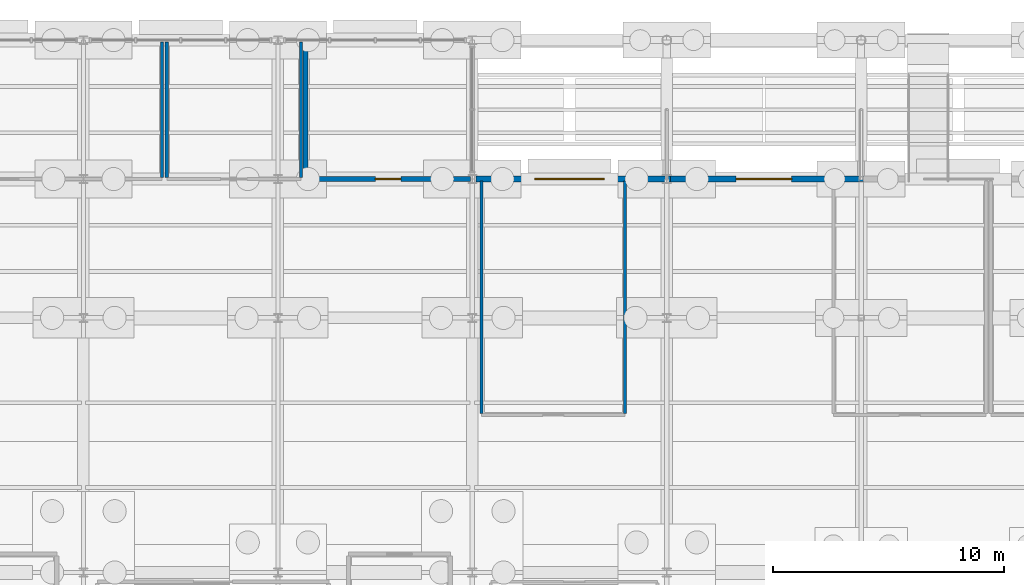
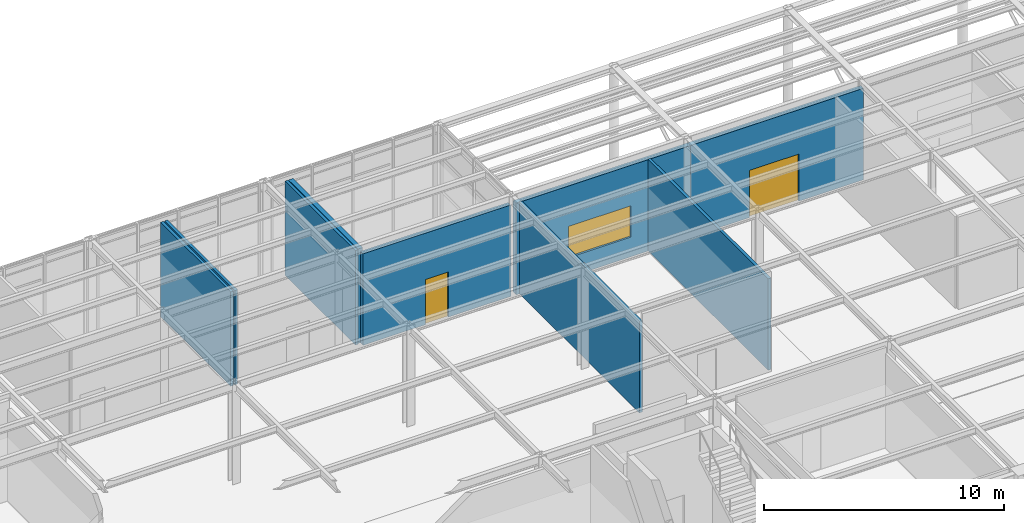
# One storey, part 107 of 129: 9 walls, 2 doors, 1 window, 3 openings.
"""IFC4 building model written with IfcOpenShell, lengths in metres."""

from ifc_helpers import new_model, si_unit, direction, frame, frame_2d, origin, place, context, subcontext, project, spatial, rectangle, extrude, material, layer, layer_set, type_object, element, fill, save


model = new_model("IFC4")

# Units and contexts
model_context = context("Model", 3, precision=1e-05, world=origin(), true_north=direction((0.0, 1.0)))
body_context = subcontext(model_context, "Body", "Model", "MODEL_VIEW")
ifc_project = project(units=[si_unit("LENGTHUNIT", "METRE"), si_unit("AREAUNIT", "SQUARE_METRE"), si_unit("VOLUMEUNIT", "CUBIC_METRE"), si_unit("PLANEANGLEUNIT", "RADIAN"), si_unit("MASSUNIT", "GRAM", prefix="KILO")], contexts=[model_context])

# Site, building, storey
site_placement = place(None, origin())
site = spatial("IfcSite", under=ifc_project, at=site_placement, CompositionType="ELEMENT")
building_placement = place(site_placement, origin())
building = spatial("IfcBuilding", under=site, at=building_placement, Name="Sitalva Quay Ferry Terminal", CompositionType="ELEMENT")
storey_placement = place(building_placement, origin())
storey = spatial("IfcBuildingStorey", under=building, at=storey_placement, Name="L01", CompositionType="ELEMENT", Elevation=0.0)

# Wall, opening, window
ifc_material_1 = material(Name="Insulated Precast Concrete C40/50", Category="concrete")
ifc_layer_1 = layer(ifc_material_1, 0.239990234375)
ifc_layer_set_1 = layer_set([ifc_layer_1], Name="Insulated Precast Concrete C40/50")
wall_type_1 = type_object("IfcWallType", Name="Wall_ExtClad_240", PredefinedType="ELEMENTEDWALL", material=ifc_layer_set_1)
wall_1_placement = place(storey_placement, frame((117.76953125, 106.0, 0.0), z_axis=(0.0, 0.0, 1.0), x_axis=(1.0, 0.0, 0.0)))
wall_1 = element("IfcWall", 1, at=wall_1_placement, inside=storey, type_object=wall_type_1, Name="L01 north-east landside facade EW-L01-146", PredefinedType="ELEMENTEDWALL", context=body_context, shape_type="SweptSolid", body=[
    extrude(rectangle(XDim=8.411865234375, YDim=0.239990234375, at=frame_2d((4.2060546875, 0.0))), origin(), (0.0, 0.0, 1.0), 4.657958984375),
])
opening_1_placement = place(wall_1_placement, frame((2.530517578125, 0.0, 1.0)))
opening_1 = element("IfcOpeningElement", 2, at=opening_1_placement, cuts=wall_1, Name="Opening WN-L01-019", PredefinedType="OPENING", context=body_context, shape_type="SweptSolid", body=[
    extrude(rectangle(XDim=3.0, YDim=1.60009765625, at=frame_2d((1.5, 0.800048828125))), frame((0.0, 0.1298828125, 0.0), z_axis=(0.0, -1.0, 0.0), x_axis=(1.0, 0.0, 0.0)), (0.0, 0.0, 1.0), 0.260009765625),
])
ifc_material_2 = material(Name="Anodised Aluminium & Low-E Glass", Category="aluminium")
window_type = type_object("IfcWindowType", Name="Win_Ribbon_3000x1600", PartitioningType="SINGLE_PANEL", PredefinedType="WINDOW", material=ifc_material_2)
window_placement = place(opening_1_placement, origin())
window = element("IfcWindow", 3, at=window_placement, inside=storey, type_object=window_type, Name="Landside north-east ribbon window WN-L01-019", OverallHeight=1.60009765625, OverallWidth=3.0, PartitioningType="SINGLE_PANEL", PredefinedType="WINDOW", context=body_context, shape_type="SweptSolid", body=[
    extrude(rectangle(XDim=3.0, YDim=1.60009765625, at=frame_2d((1.5, 0.800048828125))), frame((0.0, 0.030029296875, 0.0), z_axis=(0.0, -1.0, 0.0), x_axis=(1.0, 0.0, 0.0)), (0.0, 0.0, 1.0), 0.06005859375),
])
fill(opening_1, window)

# Wall, opening, door
wall_2_placement = place(storey_placement, frame((126.16943359375, 106.0, 0.0), z_axis=(0.0, 0.0, 1.0), x_axis=(1.0, 0.0, 0.0)))
wall_2 = element("IfcWall", 4, at=wall_2_placement, inside=storey, type_object=wall_type_1, Name="L01 north-east landside facade EW-L01-147", PredefinedType="ELEMENTEDWALL", context=body_context, shape_type="SweptSolid", body=[
    extrude(rectangle(XDim=8.32763671875, YDim=0.239990234375, at=frame_2d((4.163818359375, 0.0))), origin(), (0.0, 0.0, 1.0), 4.657958984375),
])
opening_2_placement = place(wall_2_placement, frame((2.83056640625, 0.0, 0.0)))
opening_2 = element("IfcOpeningElement", 5, at=opening_2_placement, cuts=wall_2, Name="Opening ED-L01-028", PredefinedType="OPENING", context=body_context, shape_type="SweptSolid", body=[
    extrude(rectangle(XDim=2.39990234375, YDim=2.39990234375, at=frame_2d((1.199951171875, 1.199951171875))), frame((0.0, 0.1298828125, 0.0), z_axis=(0.0, -1.0, 0.0), x_axis=(1.0, 0.0, 0.0)), (0.0, 0.0, 1.0), 0.260009765625),
])
ifc_material_3 = material(Name="Anodised Aluminium & Toughened Glass", Category="aluminium")
door_type_1 = type_object("IfcDoorType", Name="Door_Entrance_2400x2400", OperationType="DOUBLE_DOOR_SINGLE_SWING", PredefinedType="DOOR", material=ifc_material_3)
door_1_placement = place(opening_2_placement, origin())
door_1 = element("IfcDoor", 6, at=door_1_placement, inside=storey, type_object=door_type_1, Name="EDOOR-ED-L01-028 East landside canopy arrival entrance ED-L01-028", OperationType="DOUBLE_DOOR_SINGLE_SWING", OverallHeight=2.39990234375, OverallWidth=2.39990234375, PredefinedType="DOOR", context=body_context, shape_type="SweptSolid", body=[
    extrude(rectangle(XDim=2.39990234375, YDim=2.39990234375, at=frame_2d((1.199951171875, 1.199951171875))), frame((0.0, 0.02490234375, 0.0), z_axis=(0.0, -1.0, 0.0), x_axis=(1.0, 0.0, 0.0)), (0.0, 0.0, 1.0), 0.050048828125),
])
fill(opening_2, door_1)

# Walls
ifc_material_4 = material(Name="Acoustic Double-Board Gypsum Partition", Category="gypsum")
ifc_layer_2 = layer(ifc_material_4, 0.135009765625)
ifc_layer_set_2 = layer_set([ifc_layer_2], Name="Acoustic Double-Board Gypsum Partition")
wall_type_2 = type_object("IfcWallType", Name="Wall_Partition_135", PredefinedType="PARTITIONING", material=ifc_layer_set_2)
for number, where, z_axis, x_axis, name in (
    (7, (104.199951171875, 106.0673828125, 0.0), (0.0, 0.0, 1.0), (0.0, 1.0, 0.0), "Port First-Aid & Triage Clinic E wall IW-L01-0140"),
    (8, (104.39990234375, 106.0673828125, 0.0), (0.0, 0.0, 1.0), (0.0, 1.0, 0.0), "Port Medical Isolation & Triage Room W wall IW-L01-0142"),
    (9, (110.199951171875, 106.0673828125, 0.0), (0.0, 0.0, 1.0), (0.0, 1.0, 0.0), "Port Medical Isolation & Triage Room E wall IW-L01-0143"),
):
    element("IfcWall", number, at=place(storey_placement, frame(where, z_axis=z_axis, x_axis=x_axis)), inside=storey, type_object=wall_type_2, Name=name, PredefinedType="PARTITIONING", context=body_context, shape_type="SweptSolid", body=[
        extrude(rectangle(XDim=5.8525390625, YDim=0.135009765625, at=frame_2d((2.92626953125, 0.0))), origin(), (0.0, 0.0, 1.0), 4.806884765625),
    ])

# Wall, opening, door
ifc_material_5 = material(Name="Reinforced Masonry C30/37", Category="masonry")
ifc_layer_3 = layer(ifc_material_5, 0.219970703125)
ifc_layer_set_3 = layer_set([ifc_layer_3], Name="Reinforced Masonry C30/37")
wall_type_3 = type_object("IfcWallType", Name="Wall_Security_220", PredefinedType="SOLIDWALL", material=ifc_layer_set_3)
wall_3_placement = place(storey_placement, frame((110.39990234375, 106.0, 0.0), z_axis=(0.0, 0.0, 1.0), x_axis=(1.0, 0.0, 0.0)))
wall_3 = element("IfcWall", 10, at=wall_3_placement, inside=storey, type_object=wall_type_3, Name="Port Security Screening & CCTV Suite S wall IW-L01-0144", PredefinedType="SOLIDWALL", context=body_context, shape_type="SweptSolid", body=[
    extrude(rectangle(XDim=7.1201171875, YDim=0.219970703125, at=frame_2d((3.56005859375, 0.0))), origin(), (0.0, 0.0, 1.0), 4.659912109375),
])
opening_3_placement = place(wall_3_placement, frame((3.010009765625, 0.0, 0.0)))
opening_3 = element("IfcOpeningElement", 11, at=opening_3_placement, cuts=wall_3, Name="Opening ID-L01-053", PredefinedType="OPENING", context=body_context, shape_type="SweptSolid", body=[
    extrude(rectangle(XDim=1.10009765625, YDim=2.300048828125, at=frame_2d((0.550048828125, 1.14990234375))), frame((0.0, 0.119873046875, 0.0), z_axis=(0.0, -1.0, 0.0), x_axis=(1.0, 0.0, 0.0)), (0.0, 0.0, 1.0), 0.239990234375),
])
ifc_material_6 = material(Name="Security Steel & Vision Panel Door", Category="steel")
door_type_2 = type_object("IfcDoorType", Name="Door_Customs_1100x2300", OperationType="SINGLE_SWING_LEFT", PredefinedType="DOOR", material=ifc_material_6)
door_2_placement = place(opening_3_placement, origin())
door_2 = element("IfcDoor", 12, at=door_2_placement, inside=storey, type_object=door_type_2, Name="IDOOR-ID-L01-053 Port Security Screening & CCTV Suite entrance ID-L01-053", OperationType="SINGLE_SWING_LEFT", OverallHeight=2.300048828125, OverallWidth=1.10009765625, PredefinedType="DOOR", context=body_context, shape_type="SweptSolid", body=[
    extrude(rectangle(XDim=1.10009765625, YDim=2.300048828125, at=frame_2d((0.550048828125, 1.14990234375))), frame((0.0, 0.02490234375, 0.0), z_axis=(0.0, -1.0, 0.0), x_axis=(1.0, 0.0, 0.0)), (0.0, 0.0, 1.0), 0.050048828125),
])
fill(opening_3, door_2)

# Walls
wall_4_placement = place(storey_placement, frame((110.39990234375, 106.110107421875, 0.0), z_axis=(0.0, 0.0, 1.0), x_axis=(0.0, 1.0, 0.0)))
element("IfcWall", 13, at=wall_4_placement, inside=storey, type_object=wall_type_3, Name="Port Security Screening & CCTV Suite W wall IW-L01-0145", PredefinedType="SOLIDWALL", context=body_context, shape_type="SweptSolid", body=[
    extrude(rectangle(XDim=5.809814453125, YDim=0.219970703125, at=frame_2d((2.90478515625, 0.0))), origin(), (0.0, 0.0, 1.0), 4.806884765625),
])
ifc_material_7 = material(Name="Moisture-Resistant Cement Board Partition", Category="gypsum")
ifc_layer_4 = layer(ifc_material_7, 0.139892578125)
ifc_layer_set_4 = layer_set([ifc_layer_4], Name="Moisture-Resistant Cement Board Partition")
wall_type_4 = type_object("IfcWallType", Name="Wall_WetRoom_140", PredefinedType="PARTITIONING", material=ifc_layer_set_4)
for number, where, z_axis, x_axis, name in (
    (14, (118.0, 95.8701171875, 0.0), (0.0, 0.0, 1.0), (0.0, 1.0, 0.0), "East Concourse Male Public Toilets W wall IW-L01-0177"),
    (15, (124.199951171875, 95.8701171875, 0.0), (0.0, 0.0, 1.0), (0.0, 1.0, 0.0), "East Concourse Male Public Toilets E wall IW-L01-0178"),
):
    element("IfcWall", number, at=place(storey_placement, frame(where, z_axis=z_axis, x_axis=x_axis)), inside=storey, type_object=wall_type_4, Name=name, PredefinedType="PARTITIONING", context=body_context, shape_type="SweptSolid", body=[
        extrude(rectangle(XDim=10.0498046875, YDim=0.139892578125, at=frame_2d((5.02490234375, 0.0))), origin(), (0.0, 0.0, 1.0), 4.659912109375),
    ])

save(model, "model.ifc")
